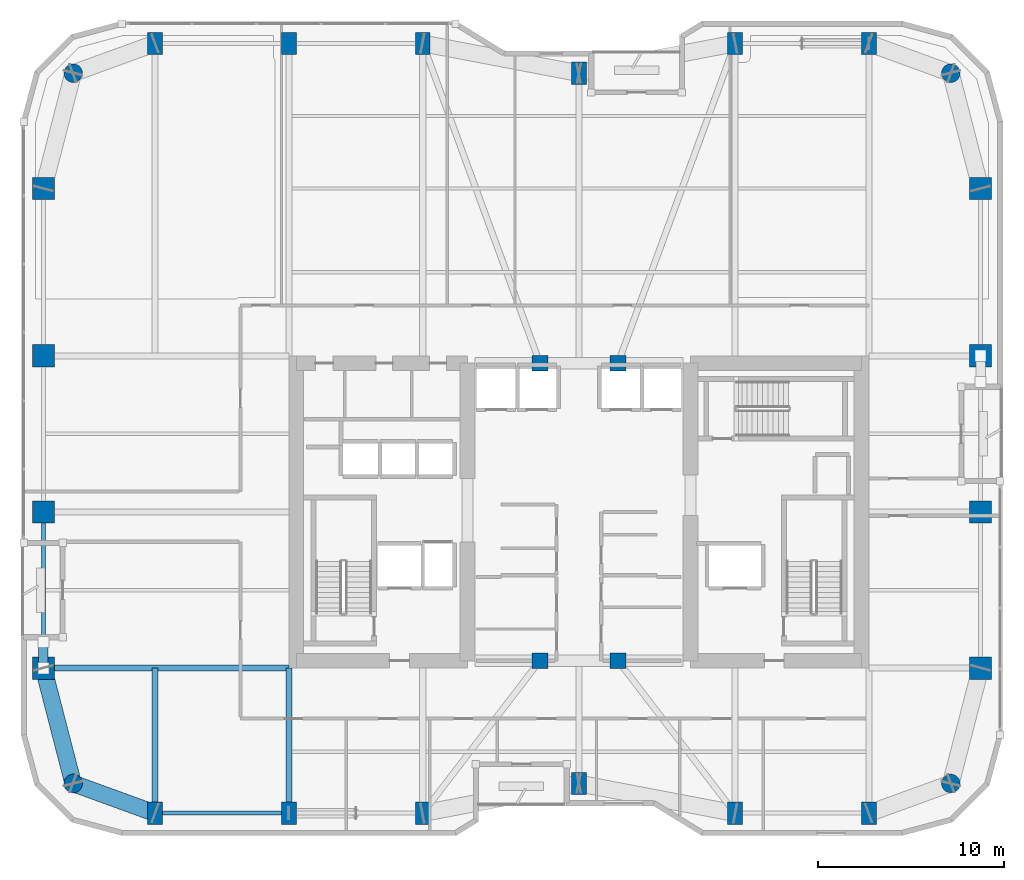
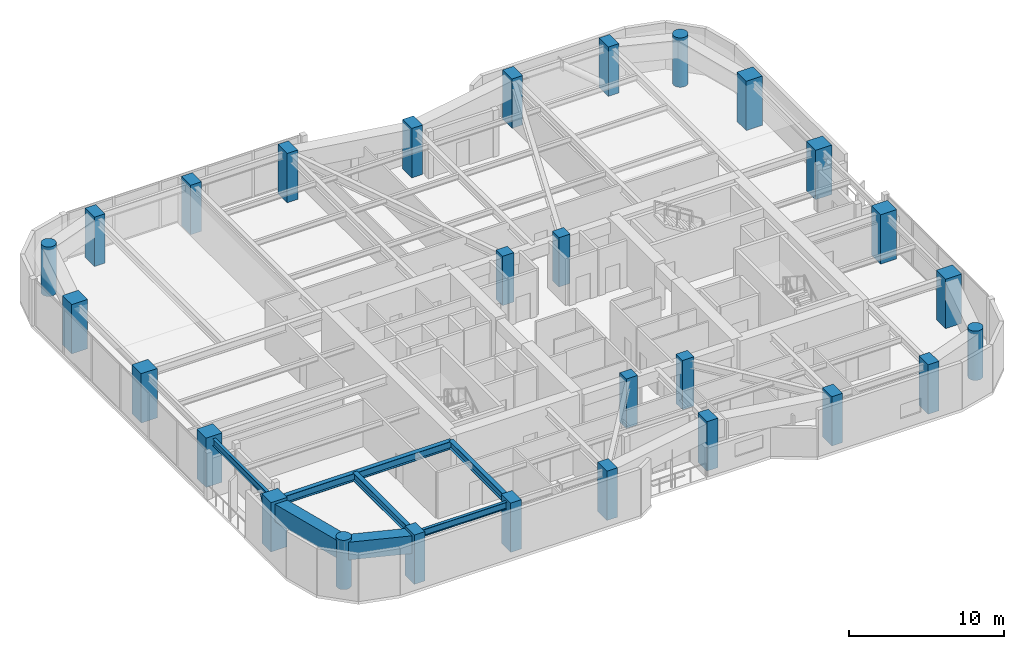
# One storey, part 1 of 30: 28 columns, 7 beams, 1 member.
"""IFC4 building model written with IfcOpenShell, lengths in metres."""

from ifc_helpers import new_model, si_unit, direction, frame, origin, origin_2d, place, context, subcontext, project, spatial, rectangle, hollow_rectangle, circle, hollow_circle, i_section, extrude, material, material_profile, profile_set, type_object, element, save


model = new_model("IFC4")

# Units and contexts
model_context = context("Model", 3, precision=1e-05, world=origin(), true_north=direction((0.0, 1.0)))
body_context = subcontext(model_context, "Body", "Model", "MODEL_VIEW")
ifc_project = project(units=[si_unit("LENGTHUNIT", "METRE"), si_unit("AREAUNIT", "SQUARE_METRE"), si_unit("VOLUMEUNIT", "CUBIC_METRE"), si_unit("PLANEANGLEUNIT", "RADIAN"), si_unit("MASSUNIT", "GRAM", prefix="KILO")], contexts=[model_context])

# Site, building, storey
site_placement = place(None, origin())
site = spatial("IfcSite", under=ifc_project, at=site_placement, CompositionType="ELEMENT")
building_placement = place(site_placement, origin())
building = spatial("IfcBuilding", under=site, at=building_placement, Name="Kiyonajd Concourse Tower", CompositionType="ELEMENT")
storey_placement = place(building_placement, frame((0.0, 0.0, 166.199951171875)))
storey = spatial("IfcBuildingStorey", under=building, at=storey_placement, Name="L42", CompositionType="ELEMENT", Elevation=166.199951171875)

# Columns
ifc_material_1 = material(Name="Concrete C70/85", Category="concrete")
ifc_material_profile_1 = material_profile(ifc_material_1, rectangle(XDim=0.800048828125, YDim=1.199951171875, at=origin_2d()), Name="RC-1200x800")
ifc_profile_set_1 = profile_set([ifc_material_profile_1], Name="Concrete C70/85")
column_type_1 = type_object("IfcColumnType", Name="CL-BLADE-1200", PredefinedType="COLUMN", material=ifc_profile_set_1)
for number, where, z_axis, x_axis, name in (
    (1, (25.199951171875, 19.800048828125, 0.0), (0.0, 0.0, 1.0), (1.0, 0.0, 0.0), "L42 Perimeter Bundled Tube Column"),
    (2, (25.199951171875, 61.199951171875, 0.0), (0.0, 0.0, 1.0), (1.0, 0.0, 0.0), "L42 Perimeter Bundled Tube Column"),
    (3, (32.39990234375, 19.800048828125, 0.0), (0.0, 0.0, 1.0), (1.0, 0.0, 0.0), "L42 Perimeter Bundled Tube Column"),
    (4, (32.39990234375, 61.199951171875, 0.0), (0.0, 0.0, 1.0), (1.0, 0.0, 0.0), "L42 Perimeter Bundled Tube Column"),
    (5, (39.60009765625, 19.800048828125, 0.0), (0.0, 0.0, 1.0), (1.0, 0.0, 0.0), "L42 Perimeter Bundled Tube Column"),
    (6, (39.60009765625, 61.199951171875, 0.0), (0.0, 0.0, 1.0), (1.0, 0.0, 0.0), "L42 Perimeter Bundled Tube Column"),
    (7, (48.0, 21.39990234375, 0.0), (0.0, 0.0, 1.0), (1.0, 0.0, 0.0), "L42 Perimeter Bundled Tube Column"),
    (8, (48.0, 59.60009765625, 0.0), (0.0, 0.0, 1.0), (1.0, 0.0, 0.0), "L42 Perimeter Bundled Tube Column"),
    (9, (56.39990234375, 19.800048828125, 0.0), (0.0, 0.0, 1.0), (1.0, 0.0, 0.0), "L42 Perimeter Bundled Tube Column"),
    (10, (56.39990234375, 61.199951171875, 0.0), (0.0, 0.0, 1.0), (1.0, 0.0, 0.0), "L42 Perimeter Bundled Tube Column"),
    (11, (63.60009765625, 19.800048828125, 0.0), (0.0, 0.0, 1.0), (1.0, 0.0, 0.0), "L42 Perimeter Bundled Tube Column"),
    (12, (63.60009765625, 61.199951171875, 0.0), (0.0, 0.0, 1.0), (1.0, 0.0, 0.0), "L42 Perimeter Bundled Tube Column"),
):
    element("IfcColumn", number, at=place(storey_placement, frame(where, z_axis=z_axis, x_axis=x_axis)), inside=storey, type_object=column_type_1, Name=name, PredefinedType="COLUMN", context=body_context, shape_type="SweptSolid", body=[
        extrude(rectangle(XDim=0.800048828125, YDim=1.199951171875, at=origin_2d()), origin(), (0.0, 0.0, 1.0), 3.900146484375),
    ])
ifc_material_2 = material(Name="Concrete C60/75", Category="concrete")
ifc_material_profile_2 = material_profile(ifc_material_2, circle(Radius=0.5, at=origin_2d()), Name="RCC-D1000")
ifc_profile_set_2 = profile_set([ifc_material_profile_2], Name="Concrete C60/75")
column_type_2 = type_object("IfcColumnType", Name="CL-RND-1000", PredefinedType="COLUMN", material=ifc_profile_set_2)
for number, where, z_axis, x_axis, name in (
    (13, (20.800048828125, 21.39990234375, 0.0), (0.0, 0.0, 1.0), (1.0, 0.0, 0.0), "L42 Bundled Tube Corner Column South West"),
    (14, (68.0, 21.39990234375, 0.0), (0.0, 0.0, 1.0), (1.0, 0.0, 0.0), "L42 Bundled Tube Corner Column South East"),
    (15, (68.0, 59.60009765625, 0.0), (0.0, 0.0, 1.0), (1.0, 0.0, 0.0), "L42 Bundled Tube Corner Column North East"),
    (16, (20.800048828125, 59.60009765625, 0.0), (0.0, 0.0, 1.0), (1.0, 0.0, 0.0), "L42 Bundled Tube Corner Column North West"),
):
    element("IfcColumn", number, at=place(storey_placement, frame(where, z_axis=z_axis, x_axis=x_axis)), inside=storey, type_object=column_type_2, Name=name, PredefinedType="COLUMN", context=body_context, shape_type="SweptSolid", body=[
        extrude(circle(Radius=0.5, at=origin_2d()), origin(), (0.0, 0.0, 1.0), 3.900146484375),
    ])
ifc_material_profile_3 = material_profile(ifc_material_1, rectangle(XDim=1.199951171875, YDim=1.199951171875, at=origin_2d()), Name="RC-1200x1200")
ifc_profile_set_3 = profile_set([ifc_material_profile_3], Name="Concrete C70/85")
column_type_3 = type_object("IfcColumnType", Name="CL-TUBE-1200", PredefinedType="COLUMN", material=ifc_profile_set_3)
for number, where, z_axis, x_axis, name in (
    (17, (19.199951171875, 27.60009765625, 0.0), (0.0, 0.0, 1.0), (1.0, 0.0, 0.0), "L42 Perimeter Bundled Tube Column"),
    (18, (69.60009765625, 27.60009765625, 0.0), (0.0, 0.0, 1.0), (1.0, 0.0, 0.0), "L42 Perimeter Bundled Tube Column"),
    (19, (19.199951171875, 36.0, 0.0), (0.0, 0.0, 1.0), (1.0, 0.0, 0.0), "L42 Perimeter Bundled Tube Column"),
    (20, (69.60009765625, 36.0, 0.0), (0.0, 0.0, 1.0), (1.0, 0.0, 0.0), "L42 Perimeter Bundled Tube Column"),
    (21, (19.199951171875, 44.39990234375, 0.0), (0.0, 0.0, 1.0), (1.0, 0.0, 0.0), "L42 Perimeter Bundled Tube Column"),
    (22, (69.60009765625, 44.39990234375, 0.0), (0.0, 0.0, 1.0), (1.0, 0.0, 0.0), "L42 Perimeter Bundled Tube Column"),
    (23, (19.199951171875, 53.39990234375, 0.0), (0.0, 0.0, 1.0), (1.0, 0.0, 0.0), "L42 Perimeter Bundled Tube Column"),
    (24, (69.60009765625, 53.39990234375, 0.0), (0.0, 0.0, 1.0), (1.0, 0.0, 0.0), "L42 Perimeter Bundled Tube Column"),
):
    element("IfcColumn", number, at=place(storey_placement, frame(where, z_axis=z_axis, x_axis=x_axis)), inside=storey, type_object=column_type_3, Name=name, PredefinedType="COLUMN", context=body_context, shape_type="SweptSolid", body=[
        extrude(rectangle(XDim=1.199951171875, YDim=1.199951171875, at=origin_2d()), origin(), (0.0, 0.0, 1.0), 3.900146484375),
    ])
ifc_material_profile_4 = material_profile(ifc_material_2, rectangle(XDim=0.85009765625, YDim=0.85009765625, at=origin_2d()), Name="RC-850x850")
ifc_profile_set_4 = profile_set([ifc_material_profile_4], Name="Concrete C60/75")
column_type_4 = type_object("IfcColumnType", Name="CL-TUBE-850", PredefinedType="COLUMN", material=ifc_profile_set_4)
for number, where, z_axis, x_axis, name in (
    (25, (45.89990234375, 28.0, 0.0), (0.0, 0.0, 1.0), (1.0, 0.0, 0.0), "L42 Core Tie Column South West"),
    (26, (50.10009765625, 28.0, 0.0), (0.0, 0.0, 1.0), (1.0, 0.0, 0.0), "L42 Core Tie Column South East"),
    (27, (45.89990234375, 44.0, 0.0), (0.0, 0.0, 1.0), (1.0, 0.0, 0.0), "L42 Core Tie Column North West"),
    (28, (50.10009765625, 44.0, 0.0), (0.0, 0.0, 1.0), (1.0, 0.0, 0.0), "L42 Core Tie Column North East"),
):
    element("IfcColumn", number, at=place(storey_placement, frame(where, z_axis=z_axis, x_axis=x_axis)), inside=storey, type_object=column_type_4, Name=name, PredefinedType="COLUMN", context=body_context, shape_type="SweptSolid", body=[
        extrude(rectangle(XDim=0.85009765625, YDim=0.85009765625, at=origin_2d()), origin(), (0.0, 0.0, 1.0), 3.900146484375),
    ])

# Beams
ifc_material_3 = material(Name="Steel ASTM A992 Grade 50", Category="steel")
ifc_material_profile_5 = material_profile(ifc_material_3, i_section(OverallWidth=0.214111328125, OverallDepth=0.549072265625, WebThickness=0.0146484375, FlangeThickness=0.023681640625, at=origin_2d()), Name="W530X138")
ifc_profile_set_5 = profile_set([ifc_material_profile_5], Name="Steel ASTM A992 Grade 50")
beam_type_1 = type_object("IfcBeamType", Name="BM-SPAN-530A", PredefinedType="SPANDREL", material=ifc_profile_set_5)
beam_1_placement = place(storey_placement, frame((25.199951171875, 19.800048828125, 3.405517578125), z_axis=(1.0, 0.0, 0.0), x_axis=(0.0, 1.0, 0.0)))
element("IfcBeam", 29, at=beam_1_placement, inside=storey, type_object=beam_type_1, Name="L42 Perimeter Bundled Tube Spandrel", PredefinedType="SPANDREL", context=body_context, shape_type="SweptSolid", body=[
    extrude(i_section(OverallWidth=0.214111328125, OverallDepth=0.549072265625, WebThickness=0.0146484375, FlangeThickness=0.023681640625, at=origin_2d()), origin(), (0.0, 0.0, 1.0), 7.199951171875),
])
beam_2_placement = place(storey_placement, frame((19.199951171875, 36.0, 3.405517578125), z_axis=(0.0, -1.0, 0.0), x_axis=(1.0, 0.0, 0.0)))
element("IfcBeam", 30, at=beam_2_placement, inside=storey, type_object=beam_type_1, Name="L42 Perimeter Bundled Tube Spandrel", PredefinedType="SPANDREL", context=body_context, shape_type="SweptSolid", body=[
    extrude(i_section(OverallWidth=0.214111328125, OverallDepth=0.549072265625, WebThickness=0.0146484375, FlangeThickness=0.023681640625, at=origin_2d()), origin(), (0.0, 0.0, 1.0), 8.39990234375),
])
ifc_material_profile_6 = material_profile(ifc_material_3, i_section(OverallWidth=0.326904296875, OverallDepth=0.6220703125, WebThickness=0.015380859375, FlangeThickness=0.0244140625, at=origin_2d()), Name="W610X195")
ifc_profile_set_6 = profile_set([ifc_material_profile_6], Name="Steel ASTM A992 Grade 50")
beam_type_2 = type_object("IfcBeamType", Name="BM-TWR-610A", PredefinedType="BEAM", material=ifc_profile_set_6)
for number, where, z_axis, x_axis, name in (
    (31, (25.199951171875, 19.800048828125, 3.369140625), (0.0, 1.0, 0.0), (-1.0, 0.0, 0.0), "L42 South Lease Girder"),
    (32, (32.39990234375, 19.800048828125, 3.369140625), (0.0, 1.0, 0.0), (-1.0, 0.0, 0.0), "L42 South Lease Girder"),
):
    element("IfcBeam", number, at=place(storey_placement, frame(where, z_axis=z_axis, x_axis=x_axis)), inside=storey, type_object=beam_type_2, Name=name, PredefinedType="BEAM", context=body_context, shape_type="SweptSolid", body=[
        extrude(i_section(OverallWidth=0.326904296875, OverallDepth=0.6220703125, WebThickness=0.015380859375, FlangeThickness=0.0244140625, at=origin_2d()), origin(), (0.0, 0.0, 1.0), 7.800048828125),
    ])
beam_3_placement = place(storey_placement, frame((19.199951171875, 27.60009765625, 3.369140625), z_axis=(1.0, 0.0, 0.0), x_axis=(0.0, 1.0, 0.0)))
element("IfcBeam", 33, at=beam_3_placement, inside=storey, type_object=beam_type_2, Name="L42 West Lease Girder", PredefinedType="BEAM", context=body_context, shape_type="SweptSolid", body=[
    extrude(i_section(OverallWidth=0.326904296875, OverallDepth=0.6220703125, WebThickness=0.015380859375, FlangeThickness=0.0244140625, at=origin_2d()), origin(), (0.0, 0.0, 1.0), 13.199951171875),
])
ifc_material_4 = material(Name="Steel ASTM A572 Grade 50", Category="steel")
ifc_material_profile_7 = material_profile(ifc_material_4, hollow_rectangle(XDim=0.89990234375, YDim=1.39990234375, WallThickness=0.070068359375, at=origin_2d()), Name="BOX-1400x900x70")
ifc_profile_set_7 = profile_set([ifc_material_profile_7], Name="Steel ASTM A572 Grade 50")
beam_type_3 = type_object("IfcBeamType", Name="BM-XFER-1400", PredefinedType="BEAM", material=ifc_profile_set_7)
beam_4_placement = place(storey_placement, frame((19.199951171875, 27.60009765625, 2.97998046875), z_axis=(0.249884937687, -0.968275538221, 0.0), x_axis=(0.968275538221, 0.249884937687, 0.0)))
element("IfcBeam", 34, at=beam_4_placement, inside=storey, type_object=beam_type_3, Name="L42 Perimeter Bundled Tube Spandrel", PredefinedType="BEAM", context=body_context, shape_type="SweptSolid", body=[
    extrude(hollow_rectangle(XDim=0.89990234375, YDim=1.39990234375, WallThickness=0.070068359375, at=origin_2d()), origin(), (0.0, 0.0, 1.0), 6.4033203125),
])
beam_5_placement = place(storey_placement, frame((20.800048828125, 21.39990234375, 2.97998046875), z_axis=(0.939801036019, -0.341722127901, 0.0), x_axis=(0.341722127901, 0.939801036019, 0.0)))
element("IfcBeam", 35, at=beam_5_placement, inside=storey, type_object=beam_type_3, Name="L42 Perimeter Bundled Tube Spandrel", PredefinedType="BEAM", context=body_context, shape_type="SweptSolid", body=[
    extrude(hollow_rectangle(XDim=0.89990234375, YDim=1.39990234375, WallThickness=0.070068359375, at=origin_2d()), origin(), (0.0, 0.0, 1.0), 4.681640625),
])

# Member
ifc_material_5 = material(Name="Steel ASTM A500 Grade C", Category="steel")
ifc_material_profile_8 = material_profile(ifc_material_5, hollow_circle(Radius=0.25390625, WallThickness=0.02197265625, at=origin_2d()), Name="CHS-508x22")
ifc_profile_set_8 = profile_set([ifc_material_profile_8], Name="Steel ASTM A500 Grade C")
member_type = type_object("IfcMemberType", Name="MB-PB-MID", PredefinedType="BRACE", material=ifc_profile_set_8)
member_placement = place(storey_placement, frame((19.199951171875, 27.60009765625, 0.300048828125), z_axis=(0.0, 0.419410666774, 0.907796614114), x_axis=(-1.0, 0.0, 0.0)))
element("IfcMember", 36, at=member_placement, inside=storey, type_object=member_type, Name="L42 Upper Zone Hollow Tube Brace PBW", PredefinedType="BRACE", context=body_context, shape_type="SweptSolid", body=[
    extrude(hollow_circle(Radius=0.25390625, WallThickness=0.02197265625, at=origin_2d()), origin(), (0.0, 0.0, 1.0), 3.337890625),
])

save(model, "model.ifc")
